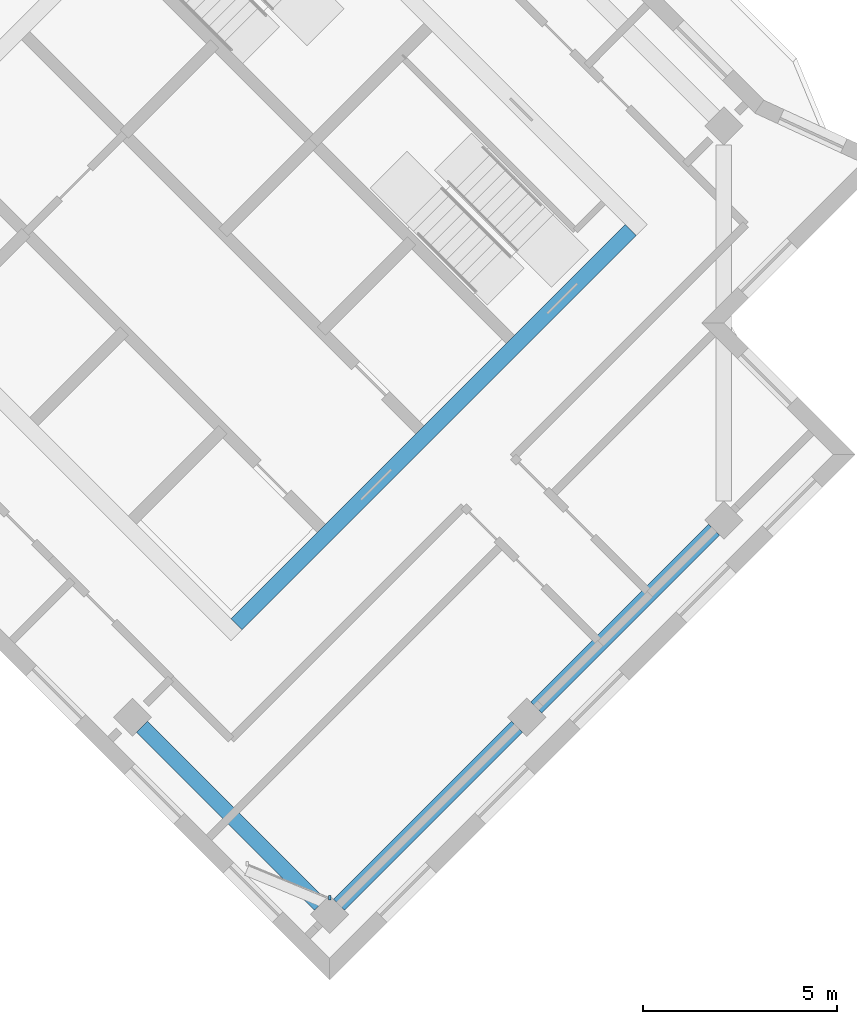
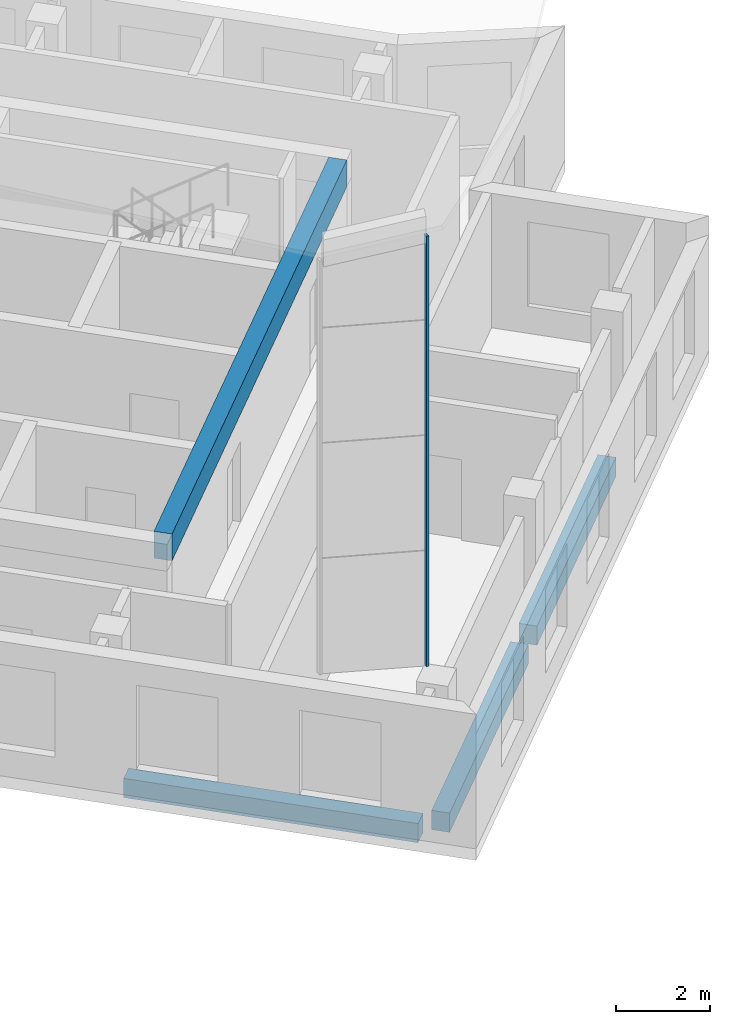
# One storey, part 6 of 20: 4 beams, 1 member, 1 element without a shape of its own.
"""IFC4 building model written with IfcOpenShell, lengths in metres."""

from ifc_helpers import new_model, si_unit, direction, frame, origin, origin_2d, place, context, subcontext, project, spatial, rectangle, extrude, material, material_profile, profile_set, type_object, element, aggregate, save


model = new_model("IFC4")

# Units and contexts
model_context = context("Model", 3, precision=1e-05, world=origin(), true_north=direction((0.0, 1.0)))
body_context = subcontext(model_context, "Body", "Model", "MODEL_VIEW")
ifc_project = project(units=[si_unit("LENGTHUNIT", "METRE"), si_unit("AREAUNIT", "SQUARE_METRE"), si_unit("VOLUMEUNIT", "CUBIC_METRE"), si_unit("PLANEANGLEUNIT", "RADIAN"), si_unit("MASSUNIT", "GRAM", prefix="KILO")], contexts=[model_context])

# Site, building, storey
site_placement = place(None, origin())
site = spatial("IfcSite", under=ifc_project, at=site_placement, CompositionType="ELEMENT")
building_placement = place(site_placement, origin())
building = spatial("IfcBuilding", under=site, at=building_placement, Name="Windrow Commons", CompositionType="ELEMENT")
storey_placement = place(building_placement, frame((0.0, 0.0, 290.6)))
storey = spatial("IfcBuildingStorey", under=building, at=storey_placement, Name="L79", CompositionType="ELEMENT", Elevation=290.6)

# Curtain wall, member
ifc_material_1 = material(Name="Laminated glass in anodised aluminium frame", Category="aluminium")
curtain_wall_type = type_object("IfcCurtainWallType", Name="Curtain wall crown terrace screen", PredefinedType="USERDEFINED", material=ifc_material_1)
curtain_wall_placement = place(storey_placement, origin())
curtain_wall = element("IfcCurtainWall", 1, at=curtain_wall_placement, inside=storey, type_object=curtain_wall_type, Name="Glazed crown screen L79", ObjectType="STICK", PredefinedType="USERDEFINED")
ifc_material_2 = material(Name="Anodised aluminium", Category="aluminium")
ifc_material_profile_1 = material_profile(ifc_material_2, rectangle(XDim=0.06, YDim=0.12, at=origin_2d()))
ifc_profile_set_1 = profile_set([ifc_material_profile_1], Name="Anodised aluminium")
member_type = type_object("IfcMemberType", Name="Crown screen mullion 60x120", PredefinedType="MULLION", material=ifc_profile_set_1)
member_placement = place(storey_placement, frame((89.3823, 31.6944, 3.5), z_axis=(0.0, 0.0, 1.0), x_axis=(1.0, 0.0, 0.0)))
member = element("IfcMember", 2, at=member_placement, type_object=member_type, Name="Crown screen mullion L79", PredefinedType="MULLION", context=body_context, shape_type="SweptSolid", body=[
    extrude(rectangle(XDim=0.06, YDim=0.12, at=origin_2d()), origin(), (0.0, 0.0, 1.0), 11.2008),
])
aggregate(curtain_wall, [member])

# Beams
ifc_material_3 = material(Name="Concrete C40/50", Category="concrete")
ifc_material_profile_2 = material_profile(ifc_material_3, rectangle(XDim=0.4, YDim=0.7, at=origin_2d()))
ifc_profile_set_2 = profile_set([ifc_material_profile_2], Name="Concrete C40/50")
beam_type_1 = type_object("IfcBeamType", Name="RC COUPLING BEAM 400x700 C40/50", PredefinedType="LINTEL", material=ifc_profile_set_2)
beam_1_placement = place(storey_placement, frame((86.9782, 38.766, 3.15), z_axis=(0.7071067812, 0.7071067812, 0.0), x_axis=(-0.7071067812, 0.7071067812, 0.0)))
element("IfcBeam", 3, at=beam_1_placement, inside=storey, type_object=beam_type_1, Name="Core B coupling beam outer-E", PredefinedType="LINTEL", context=body_context, shape_type="SweptSolid", body=[
    extrude(rectangle(XDim=0.4, YDim=0.7, at=origin_2d()), origin(), (0.0, 0.0, 1.0), 14.3999),
])
ifc_material_4 = material(Name="Concrete C40/50", Category="concrete")
ifc_material_profile_3 = material_profile(ifc_material_4, rectangle(XDim=0.4, YDim=0.5, at=origin_2d()))
ifc_profile_set_3 = profile_set([ifc_material_profile_3], Name="Concrete C40/50")
beam_type_2 = type_object("IfcBeamType", Name="RC EDGE BEAM 400x500 C40/50", PredefinedType="SPANDREL", material=ifc_profile_set_3)
for number, where, z_axis, x_axis, name in (
    (4, (99.3172, 41.2055, -0.55), (-0.7071067812, -0.7071067812, 0.0), (0.7071067812, -0.7071067812, 0.0), "Edge beam L79 017"),
    (5, (94.226, 36.1143, -0.55), (-0.7071067812, -0.7071067812, 0.0), (0.7071067812, -0.7071067812, 0.0), "Edge beam L79 018"),
):
    element("IfcBeam", number, at=place(storey_placement, frame(where, z_axis=z_axis, x_axis=x_axis)), inside=storey, type_object=beam_type_2, Name=name, PredefinedType="SPANDREL", context=body_context, shape_type="SweptSolid", body=[
        extrude(rectangle(XDim=0.4, YDim=0.5, at=origin_2d()), origin(), (0.0, 0.0, 1.0), 6.5),
    ])
beam_2_placement = place(storey_placement, frame((89.1348, 31.5181, -0.55), z_axis=(-0.7070990888, 0.7071144735, 0.0), x_axis=(-0.7071144735, -0.7070990888, 0.0)))
element("IfcBeam", 6, at=beam_2_placement, inside=storey, type_object=beam_type_2, Name="Edge beam L79 019", PredefinedType="SPANDREL", context=body_context, shape_type="SweptSolid", body=[
    extrude(rectangle(XDim=0.4, YDim=0.5, at=origin_2d()), origin(), (0.0, 0.0, 1.0), 6.4999),
])

save(model, "model.ifc")
